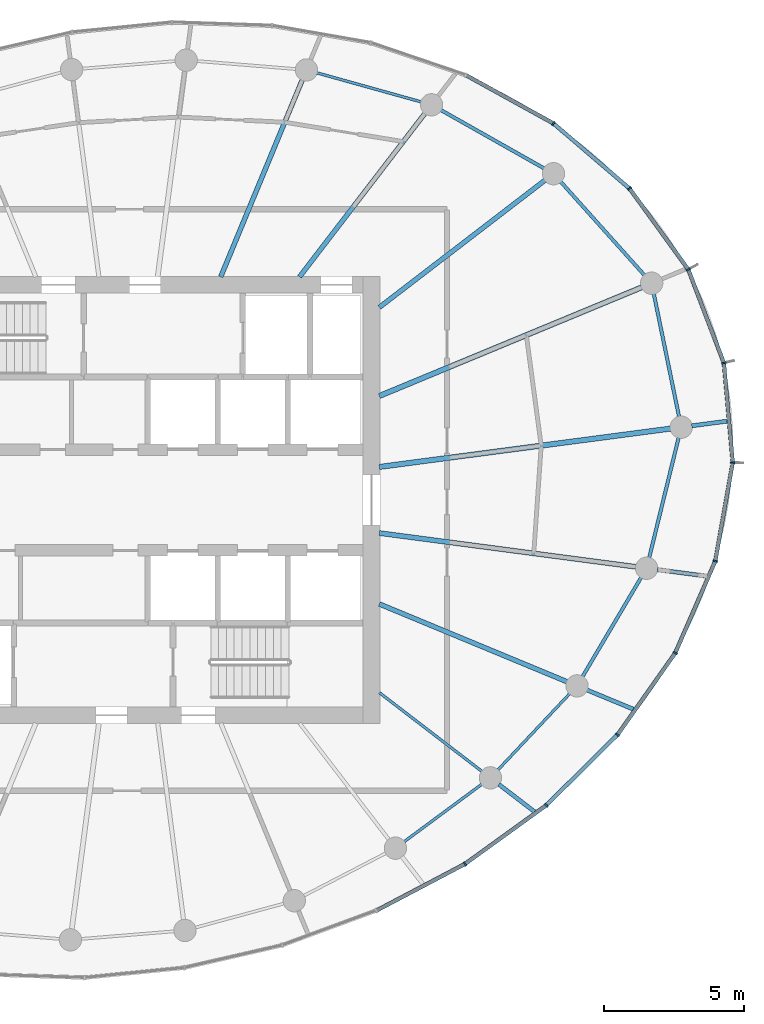
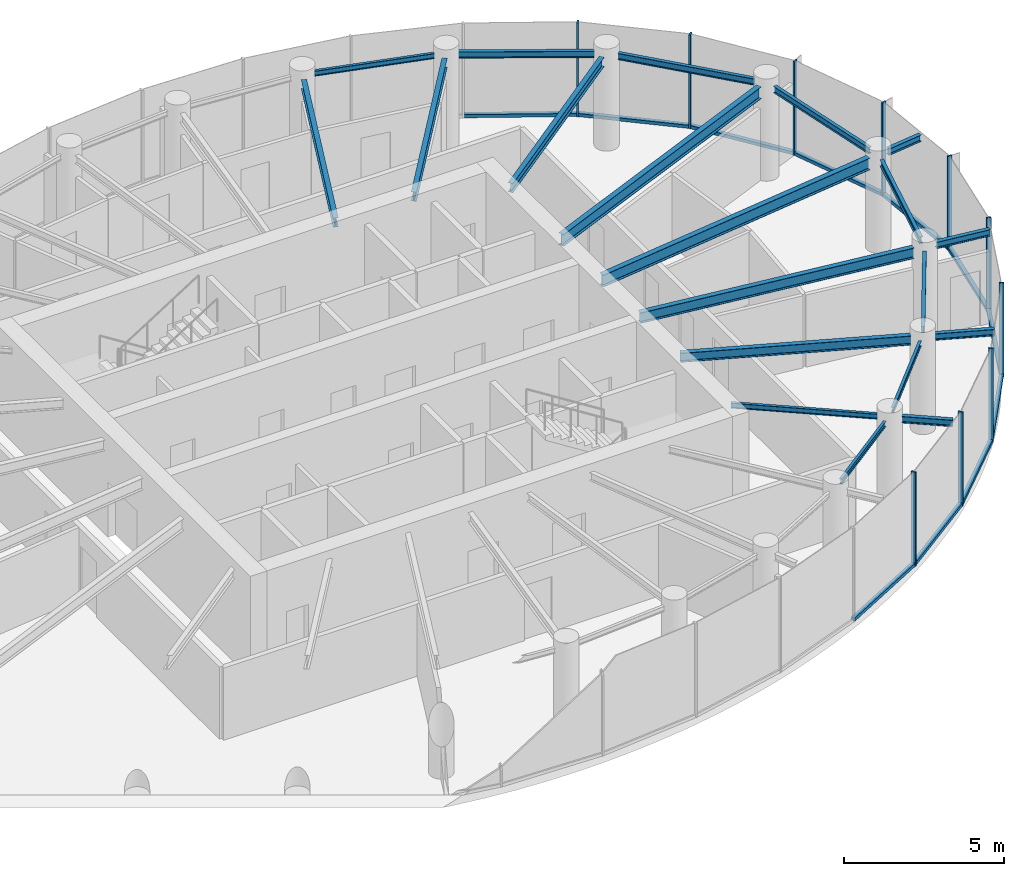
# One storey, part 5 of 13: 21 members, 20 beams, 3 elements without a shape of their own.
"""IFC4 building model written with IfcOpenShell, lengths in metres."""

from ifc_helpers import new_model, si_unit, direction, frame, origin, origin_2d, place, context, subcontext, project, spatial, rectangle, i_section, extrude, source, transform, mapped, material, layer, layer_set, material_profile, profile_set, type_object, element, aggregate, save


model = new_model("IFC4")

# Units and contexts
model_context = context("Model", 3, precision=1e-05, world=origin(), true_north=direction((0.0, 1.0)))
body_context = subcontext(model_context, "Body", "Model", "MODEL_VIEW")
ifc_project = project(units=[si_unit("LENGTHUNIT", "METRE"), si_unit("AREAUNIT", "SQUARE_METRE"), si_unit("VOLUMEUNIT", "CUBIC_METRE"), si_unit("PLANEANGLEUNIT", "RADIAN"), si_unit("MASSUNIT", "GRAM", prefix="KILO")], contexts=[model_context])

# Site, building, storey
site_placement = place(None, origin())
site = spatial("IfcSite", under=ifc_project, at=site_placement, CompositionType="ELEMENT")
building_placement = place(site_placement, origin())
building = spatial("IfcBuilding", under=site, at=building_placement, Name="Spindrift Exchange Tower", CompositionType="ELEMENT")
storey_placement = place(building_placement, frame((0.0, 0.0, 261.800048828125)))
storey = spatial("IfcBuildingStorey", under=building, at=storey_placement, Name="L64", CompositionType="ELEMENT", Elevation=261.800048828125)

# Beams
ifc_material_1 = material(Name="Steel Grade 300", Category="steel")
ifc_material_profile_1 = material_profile(ifc_material_1, i_section(OverallWidth=0.18994140625, OverallDepth=0.4541015625, WebThickness=0.008544921875, FlangeThickness=0.0126953125, FilletRadius=0.013916015625, at=origin_2d()), Name="460UB67.1")
ifc_profile_set_1 = profile_set([ifc_material_profile_1], Name="Steel Grade 300")
beam_type_1 = type_object("IfcBeamType", Name="Floor Beam 460UB67.1 Steel Grade 300", PredefinedType="BEAM", material=ifc_profile_set_1)
shared_shape_1 = source(origin(), body_context, "Body", "SweptSolid", [
    extrude(i_section(OverallWidth=0.18994140625, OverallDepth=0.4541015625, WebThickness=0.008544921875, FlangeThickness=0.0126953125, FilletRadius=0.013916015625, at=origin_2d()), origin(), (0.0, 0.0, 1.0), 10.510009765625),
])
beam_1_placement = place(storey_placement, frame((60.980224609375, 49.182373046875, 3.35302734375), z_axis=(0.991445042488, 0.130524816516, 0.0), x_axis=(-0.130524816516, 0.991445042488, 0.0)))
element("IfcBeam", 1, at=beam_1_placement, inside=storey, type_object=beam_type_1, Name="L64 radial beam R01A", PredefinedType="BEAM", context=body_context, shape_type="MappedRepresentation", body=[
    mapped(shared_shape_1, transform((0.0, 0.0, 0.0), scale=1.0)),
])
shared_shape_2 = source(origin(), body_context, "Body", "SweptSolid", [
    extrude(i_section(OverallWidth=0.18994140625, OverallDepth=0.4541015625, WebThickness=0.008544921875, FlangeThickness=0.0126953125, FilletRadius=0.013916015625, at=origin_2d()), origin(), (0.0, 0.0, 1.0), 10.160400390625),
])
beam_2_placement = place(storey_placement, frame((60.9814453125, 51.72021484375, 3.35302734375), z_axis=(0.923880358773, 0.382681437588, 0.0), x_axis=(-0.382681437588, 0.923880358773, 0.0)))
element("IfcBeam", 2, at=beam_2_placement, inside=storey, type_object=beam_type_1, Name="L64 radial beam R02A", PredefinedType="BEAM", context=body_context, shape_type="MappedRepresentation", body=[
    mapped(shared_shape_2, transform((0.0, 0.0, 0.0), scale=1.0)),
])
ifc_material_profile_2 = material_profile(ifc_material_1, i_section(OverallWidth=0.1708984375, OverallDepth=0.35205078125, WebThickness=0.0068359375, FlangeThickness=0.009765625, FilletRadius=0.013916015625, at=origin_2d()), Name="360UB44.7")
ifc_profile_set_2 = profile_set([ifc_material_profile_2], Name="Steel Grade 300")
beam_type_2 = type_object("IfcBeamType", Name="Floor Beam 360UB44.7 Steel Grade 300", PredefinedType="BEAM", material=ifc_profile_set_2)
shared_shape_3 = source(origin(), body_context, "Body", "SweptSolid", [
    extrude(i_section(OverallWidth=0.1708984375, OverallDepth=0.35205078125, WebThickness=0.0068359375, FlangeThickness=0.009765625, FilletRadius=0.013916015625, at=origin_2d()), origin(), (0.0, 0.0, 1.0), 7.466796875),
])
beam_3_placement = place(storey_placement, frame((60.984130859375, 54.893798828125, 3.404052734375), z_axis=(0.793360004804, 0.608752743548, 0.0), x_axis=(-0.608752743548, 0.793360004804, 0.0)))
element("IfcBeam", 3, at=beam_3_placement, inside=storey, type_object=beam_type_2, Name="L64 radial beam R03A", PredefinedType="BEAM", context=body_context, shape_type="MappedRepresentation", body=[
    mapped(shared_shape_3, transform((0.0, 0.0, 0.0), scale=1.0)),
])
shared_shape_4 = source(origin(), body_context, "Body", "SweptSolid", [
    extrude(i_section(OverallWidth=0.1708984375, OverallDepth=0.35205078125, WebThickness=0.0068359375, FlangeThickness=0.009765625, FilletRadius=0.013916015625, at=origin_2d()), origin(), (0.0, 0.0, 1.0), 7.3740234375),
])
beam_4_placement = place(storey_placement, frame((58.12646484375, 55.984130859375, 3.404052734375), z_axis=(0.608751913917, 0.793360641387, 0.0), x_axis=(-0.793360641387, 0.608751913917, 0.0)))
element("IfcBeam", 4, at=beam_4_placement, inside=storey, type_object=beam_type_2, Name="L64 radial beam R04A", PredefinedType="BEAM", context=body_context, shape_type="MappedRepresentation", body=[
    mapped(shared_shape_4, transform((0.0, 0.0, 0.0), scale=1.0)),
])
shared_shape_5 = source(origin(), body_context, "Body", "SweptSolid", [
    extrude(i_section(OverallWidth=0.1708984375, OverallDepth=0.35205078125, WebThickness=0.0068359375, FlangeThickness=0.009765625, FilletRadius=0.013916015625, at=origin_2d()), origin(), (0.0, 0.0, 1.0), 7.630859375),
])
beam_5_placement = place(storey_placement, frame((55.30615234375, 55.9814453125, 3.404052734375), z_axis=(0.382676740702, 0.92388230426, 0.0), x_axis=(-0.92388230426, 0.382676740702, 0.0)))
element("IfcBeam", 5, at=beam_5_placement, inside=storey, type_object=beam_type_2, Name="L64 radial beam R05A", PredefinedType="BEAM", context=body_context, shape_type="MappedRepresentation", body=[
    mapped(shared_shape_5, transform((0.0, 0.0, 0.0), scale=1.0)),
])
ifc_material_profile_3 = material_profile(ifc_material_1, i_section(OverallWidth=0.09912109375, OverallDepth=0.197998046875, WebThickness=0.00439453125, FlangeThickness=0.007080078125, FilletRadius=0.010986328125, at=origin_2d()), Name="200UB18.2")
ifc_profile_set_3 = profile_set([ifc_material_profile_3], Name="Steel Grade 300")
beam_type_3 = type_object("IfcBeamType", Name="Floor Beam 200UB18.2 Steel Grade 300", PredefinedType="BEAM", material=ifc_profile_set_3)
shared_shape_6 = source(origin(), body_context, "Body", "SweptSolid", [
    extrude(i_section(OverallWidth=0.09912109375, OverallDepth=0.197998046875, WebThickness=0.00439453125, FlangeThickness=0.007080078125, FilletRadius=0.010986328125, at=origin_2d()), origin(), (0.0, 0.0, 1.0), 4.622802734375),
])
beam_6_placement = place(storey_placement, frame((60.984130859375, 41.106201171875, 3.48095703125), z_axis=(0.793347882225, -0.608768542033, 0.0), x_axis=(0.608768542033, 0.793347882225, 0.0)))
element("IfcBeam", 6, at=beam_6_placement, inside=storey, type_object=beam_type_3, Name="L64 radial beam R22A", PredefinedType="BEAM", context=body_context, shape_type="MappedRepresentation", body=[
    mapped(shared_shape_6, transform((0.0, 0.0, 0.0), scale=1.0)),
])
shared_shape_7 = source(origin(), body_context, "Body", "SweptSolid", [
    extrude(i_section(OverallWidth=0.1708984375, OverallDepth=0.35205078125, WebThickness=0.0068359375, FlangeThickness=0.009765625, FilletRadius=0.013916015625, at=origin_2d()), origin(), (0.0, 0.0, 1.0), 7.272705078125),
])
beam_7_placement = place(storey_placement, frame((60.9814453125, 44.27978515625, 3.404052734375), z_axis=(0.923874446092, -0.382695711836, 0.0), x_axis=(0.382695711836, 0.923874446092, 0.0)))
element("IfcBeam", 7, at=beam_7_placement, inside=storey, type_object=beam_type_2, Name="L64 radial beam R23A", PredefinedType="BEAM", context=body_context, shape_type="MappedRepresentation", body=[
    mapped(shared_shape_7, transform((0.0, 0.0, 0.0), scale=1.0)),
])
ifc_material_profile_4 = material_profile(ifc_material_1, i_section(OverallWidth=0.177978515625, OverallDepth=0.403076171875, WebThickness=0.007568359375, FlangeThickness=0.010986328125, FilletRadius=0.013916015625, at=origin_2d()), Name="410UB53.7")
ifc_profile_set_4 = profile_set([ifc_material_profile_4], Name="Steel Grade 300")
beam_type_4 = type_object("IfcBeamType", Name="Floor Beam 410UB53.7 Steel Grade 300", PredefinedType="BEAM", material=ifc_profile_set_4)
shared_shape_8 = source(origin(), body_context, "Body", "SweptSolid", [
    extrude(i_section(OverallWidth=0.177978515625, OverallDepth=0.403076171875, WebThickness=0.007568359375, FlangeThickness=0.010986328125, FilletRadius=0.013916015625, at=origin_2d()), origin(), (0.0, 0.0, 1.0), 9.261962890625),
])
beam_8_placement = place(storey_placement, frame((60.980224609375, 46.817626953125, 3.37841796875), z_axis=(0.991447744872, -0.130504288008, 0.0), x_axis=(0.130504288008, 0.991447744872, 0.0)))
element("IfcBeam", 8, at=beam_8_placement, inside=storey, type_object=beam_type_4, Name="L64 radial beam R24A", PredefinedType="BEAM", context=body_context, shape_type="MappedRepresentation", body=[
    mapped(shared_shape_8, transform((0.0, 0.0, 0.0), scale=1.0)),
])
ifc_material_profile_5 = material_profile(ifc_material_1, i_section(OverallWidth=0.1240234375, OverallDepth=0.248046875, WebThickness=0.0048828125, FlangeThickness=0.008056640625, FilletRadius=0.011962890625, at=origin_2d()), Name="250UB25.7")
ifc_profile_set_5 = profile_set([ifc_material_profile_5], Name="Steel Grade 300")
beam_type_5 = type_object("IfcBeamType", Name="Edge Beam 250UB25.7 Steel Grade 300", PredefinedType="SPANDREL", material=ifc_profile_set_5)
shared_shape_9 = source(origin(), body_context, "Body", "SweptSolid", [
    extrude(i_section(OverallWidth=0.1240234375, OverallDepth=0.248046875, WebThickness=0.0048828125, FlangeThickness=0.008056640625, FilletRadius=0.011962890625, at=origin_2d()), origin(), (0.0, 0.0, 1.0), 4.497802734375),
])
beam_9_placement = place(storey_placement, frame((71.700927734375, 50.975830078125, 3.4560546875), z_axis=(-0.201217935785, 0.979546498293, 0.0), x_axis=(-0.979546498293, -0.201217935785, 0.0)))
element("IfcBeam", 9, at=beam_9_placement, inside=storey, type_object=beam_type_5, Name="L64 edge beam E01", PredefinedType="SPANDREL", context=body_context, shape_type="MappedRepresentation", body=[
    mapped(shared_shape_9, transform((0.0, 0.0, 0.0), scale=1.0)),
])
shared_shape_10 = source(origin(), body_context, "Body", "SweptSolid", [
    extrude(i_section(OverallWidth=0.1240234375, OverallDepth=0.248046875, WebThickness=0.0048828125, FlangeThickness=0.008056640625, FilletRadius=0.011962890625, at=origin_2d()), origin(), (0.0, 0.0, 1.0), 4.499755859375),
])
beam_10_placement = place(storey_placement, frame((70.466064453125, 56.036865234375, 3.4560546875), z_axis=(-0.667419502646, 0.744681950558, 0.0), x_axis=(-0.744681950558, -0.667419502646, 0.0)))
element("IfcBeam", 10, at=beam_10_placement, inside=storey, type_object=beam_type_5, Name="L64 edge beam E02", PredefinedType="SPANDREL", context=body_context, shape_type="MappedRepresentation", body=[
    mapped(shared_shape_10, transform((0.0, 0.0, 0.0), scale=1.0)),
])
shared_shape_11 = source(origin(), body_context, "Body", "SweptSolid", [
    extrude(i_section(OverallWidth=0.1240234375, OverallDepth=0.248046875, WebThickness=0.0048828125, FlangeThickness=0.008056640625, FilletRadius=0.011962890625, at=origin_2d()), origin(), (0.0, 0.0, 1.0), 4.2509765625),
])
beam_11_placement = place(storey_placement, frame((66.878662109375, 59.857666015625, 3.4560546875), z_axis=(-0.870615246867, 0.491964523033, 0.0), x_axis=(-0.491964523033, -0.870615246867, 0.0)))
element("IfcBeam", 11, at=beam_11_placement, inside=storey, type_object=beam_type_5, Name="L64 edge beam E03", PredefinedType="SPANDREL", context=body_context, shape_type="MappedRepresentation", body=[
    mapped(shared_shape_11, transform((0.0, 0.0, 0.0), scale=1.0)),
])
ifc_material_profile_6 = material_profile(ifc_material_1, i_section(OverallWidth=0.09912109375, OverallDepth=0.197998046875, WebThickness=0.00439453125, FlangeThickness=0.007080078125, FilletRadius=0.010986328125, at=origin_2d()), Name="200UB18.2")
ifc_profile_set_6 = profile_set([ifc_material_profile_6], Name="Steel Grade 300")
beam_type_6 = type_object("IfcBeamType", Name="Edge Beam 200UB18.2 Steel Grade 300", PredefinedType="SPANDREL", material=ifc_profile_set_6)
shared_shape_12 = source(origin(), body_context, "Body", "SweptSolid", [
    extrude(i_section(OverallWidth=0.09912109375, OverallDepth=0.197998046875, WebThickness=0.00439453125, FlangeThickness=0.007080078125, FilletRadius=0.010986328125, at=origin_2d()), origin(), (0.0, 0.0, 1.0), 3.885498046875),
])
beam_12_placement = place(storey_placement, frame((62.480712890625, 62.238037109375, 3.48095703125), z_axis=(-0.963333134661, 0.268308165482, 0.0), x_axis=(-0.268308165482, -0.963333134661, 0.0)))
element("IfcBeam", 12, at=beam_12_placement, inside=storey, type_object=beam_type_6, Name="L64 edge beam E04", PredefinedType="SPANDREL", context=body_context, shape_type="MappedRepresentation", body=[
    mapped(shared_shape_12, transform((0.0, 0.0, 0.0), scale=1.0)),
])
shared_shape_13 = source(origin(), body_context, "Body", "SweptSolid", [
    extrude(i_section(OverallWidth=0.09912109375, OverallDepth=0.197998046875, WebThickness=0.00439453125, FlangeThickness=0.007080078125, FilletRadius=0.010986328125, at=origin_2d()), origin(), (0.0, 0.0, 1.0), 3.466552734375),
])
beam_13_placement = place(storey_placement, frame((61.861083984375, 35.772705078125, 3.48095703125), z_axis=(0.803854022168, 0.594826622676, 0.0), x_axis=(-0.594826622676, 0.803854022168, 0.0)))
element("IfcBeam", 13, at=beam_13_placement, inside=storey, type_object=beam_type_6, Name="L64 edge beam E21", PredefinedType="SPANDREL", context=body_context, shape_type="MappedRepresentation", body=[
    mapped(shared_shape_13, transform((0.0, 0.0, 0.0), scale=1.0)),
])
shared_shape_14 = source(origin(), body_context, "Body", "SweptSolid", [
    extrude(i_section(OverallWidth=0.09912109375, OverallDepth=0.197998046875, WebThickness=0.00439453125, FlangeThickness=0.007080078125, FilletRadius=0.010986328125, at=origin_2d()), origin(), (0.0, 0.0, 1.0), 3.759765625),
])
beam_14_placement = place(storey_placement, frame((65.213623046875, 38.33740234375, 3.48095703125), z_axis=(0.685520646854, 0.72805318675, 0.0), x_axis=(-0.72805318675, 0.685520646854, 0.0)))
element("IfcBeam", 14, at=beam_14_placement, inside=storey, type_object=beam_type_6, Name="L64 edge beam E22", PredefinedType="SPANDREL", context=body_context, shape_type="MappedRepresentation", body=[
    mapped(shared_shape_14, transform((0.0, 0.0, 0.0), scale=1.0)),
])
shared_shape_15 = source(origin(), body_context, "Body", "SweptSolid", [
    extrude(i_section(OverallWidth=0.1240234375, OverallDepth=0.248046875, WebThickness=0.0048828125, FlangeThickness=0.008056640625, FilletRadius=0.011962890625, at=origin_2d()), origin(), (0.0, 0.0, 1.0), 4.128662109375),
])
beam_15_placement = place(storey_placement, frame((68.244873046875, 41.678466796875, 3.4560546875), z_axis=(0.509067946458, 0.860726336235, 0.0), x_axis=(-0.860726336235, 0.509067946458, 0.0)))
element("IfcBeam", 15, at=beam_15_placement, inside=storey, type_object=beam_type_5, Name="L64 edge beam E23", PredefinedType="SPANDREL", context=body_context, shape_type="MappedRepresentation", body=[
    mapped(shared_shape_15, transform((0.0, 0.0, 0.0), scale=1.0)),
])
shared_shape_16 = source(origin(), body_context, "Body", "SweptSolid", [
    extrude(i_section(OverallWidth=0.1240234375, OverallDepth=0.248046875, WebThickness=0.0048828125, FlangeThickness=0.008056640625, FilletRadius=0.011962890625, at=origin_2d()), origin(), (0.0, 0.0, 1.0), 4.43408203125),
])
beam_16_placement = place(storey_placement, frame((70.630615234375, 45.92822265625, 3.4560546875), z_axis=(0.238193109804, 0.971217814109, 0.0), x_axis=(-0.971217814109, 0.238193109804, 0.0)))
element("IfcBeam", 16, at=beam_16_placement, inside=storey, type_object=beam_type_5, Name="L64 edge beam E24", PredefinedType="SPANDREL", context=body_context, shape_type="MappedRepresentation", body=[
    mapped(shared_shape_16, transform((0.0, 0.0, 0.0), scale=1.0)),
])
ifc_material_profile_7 = material_profile(ifc_material_1, i_section(OverallWidth=0.14599609375, OverallDepth=0.251953125, WebThickness=0.006103515625, FlangeThickness=0.008544921875, FilletRadius=0.011962890625, at=origin_2d()), Name="250UB31.4")
ifc_profile_set_7 = profile_set([ifc_material_profile_7], Name="Steel Grade 300")
beam_type_7 = type_object("IfcBeamType", Name="Cantilever Beam 250UB31.4 Steel Grade 300", PredefinedType="BEAM", material=ifc_profile_set_7)
shared_shape_17 = source(origin(), body_context, "Body", "SweptSolid", [
    extrude(i_section(OverallWidth=0.14599609375, OverallDepth=0.251953125, WebThickness=0.006103515625, FlangeThickness=0.008544921875, FilletRadius=0.011962890625, at=origin_2d()), origin(), (0.0, 0.0, 1.0), 1.27001953125),
])
beam_17_placement = place(storey_placement, frame((72.154052734375, 50.6533203125, 3.453857421875), z_axis=(0.991446442885, 0.130514178891, 0.0), x_axis=(-0.130514178891, 0.991446442885, 0.0)))
element("IfcBeam", 17, at=beam_17_placement, inside=storey, type_object=beam_type_7, Name="L64 cantilever beam R01T", PredefinedType="BEAM", context=body_context, shape_type="MappedRepresentation", body=[
    mapped(shared_shape_17, transform((0.0, 0.0, 0.0), scale=1.0)),
])
shared_shape_18 = source(origin(), body_context, "Body", "SweptSolid", [
    extrude(i_section(OverallWidth=0.14599609375, OverallDepth=0.251953125, WebThickness=0.006103515625, FlangeThickness=0.008544921875, FilletRadius=0.011962890625, at=origin_2d()), origin(), (0.0, 0.0, 1.0), 1.609619140625),
])
beam_18_placement = place(storey_placement, frame((65.25439453125, 37.829345703125, 3.453857421875), z_axis=(0.79341834679, -0.608676701523, 0.0), x_axis=(0.608676701523, 0.79341834679, 0.0)))
element("IfcBeam", 18, at=beam_18_placement, inside=storey, type_object=beam_type_7, Name="L64 cantilever beam R22T", PredefinedType="BEAM", context=body_context, shape_type="MappedRepresentation", body=[
    mapped(shared_shape_18, transform((0.0, 0.0, 0.0), scale=1.0)),
])
shared_shape_19 = source(origin(), body_context, "Body", "SweptSolid", [
    extrude(i_section(OverallWidth=0.14599609375, OverallDepth=0.251953125, WebThickness=0.006103515625, FlangeThickness=0.008544921875, FilletRadius=0.011962890625, at=origin_2d()), origin(), (0.0, 0.0, 1.0), 1.870849609375),
])
beam_19_placement = place(storey_placement, frame((68.402587890625, 41.205810546875, 3.453857421875), z_axis=(0.923908689507, -0.382613033564, 0.0), x_axis=(0.382613033564, 0.923908689507, 0.0)))
element("IfcBeam", 19, at=beam_19_placement, inside=storey, type_object=beam_type_7, Name="L64 cantilever beam R23T", PredefinedType="BEAM", context=body_context, shape_type="MappedRepresentation", body=[
    mapped(shared_shape_19, transform((0.0, 0.0, 0.0), scale=1.0)),
])
shared_shape_20 = source(origin(), body_context, "Body", "SweptSolid", [
    extrude(i_section(OverallWidth=0.14599609375, OverallDepth=0.251953125, WebThickness=0.006103515625, FlangeThickness=0.008544921875, FilletRadius=0.011962890625, at=origin_2d()), origin(), (0.0, 0.0, 1.0), 1.815185546875),
])
beam_20_placement = place(storey_placement, frame((70.916748046875, 45.509521484375, 3.453857421875), z_axis=(0.991452006297, -0.130471909661, 0.0), x_axis=(0.130471909661, 0.991452006297, 0.0)))
element("IfcBeam", 20, at=beam_20_placement, inside=storey, type_object=beam_type_7, Name="L64 cantilever beam R24T", PredefinedType="BEAM", context=body_context, shape_type="MappedRepresentation", body=[
    mapped(shared_shape_20, transform((0.0, 0.0, 0.0), scale=1.0)),
])

# Curtain wall, member
ifc_material_2 = material(Name="Fritted laminated glass with bronze frame", Category="glass")
ifc_layer = layer(ifc_material_2, 0.159912109375)
ifc_layer_set = layer_set([ifc_layer], Name="ZONE 5 BRONZE FRITTED WALL")
curtain_wall_type = type_object("IfcCurtainWallType", Name="ZONE 5 BRONZE FRITTED WALL", PredefinedType="NOTDEFINED", material=ifc_layer_set)
curtain_wall_1_placement = place(storey_placement, origin())
curtain_wall_1 = element("IfcCurtainWall", 21, at=curtain_wall_1_placement, inside=storey, type_object=curtain_wall_type, Name="L64 Zone 5 Bronze Fritted Wall run 5", PredefinedType="NOTDEFINED")
ifc_material_3 = material(Name="Bronze anodised aluminium", Category="aluminium")
ifc_material_profile_8 = material_profile(ifc_material_3, rectangle(XDim=0.139892578125, YDim=0.1201171875, at=origin_2d()), Name="ZONE 5 BRONZE FRITTED WALL TRANSOM 140X120")
ifc_profile_set_8 = profile_set([ifc_material_profile_8], Name="Bronze anodised aluminium")
member_type_1 = type_object("IfcMemberType", Name="ZONE 5 BRONZE FRITTED WALL TRANSOM 140X120", PredefinedType="USERDEFINED", material=ifc_profile_set_8)
shared_shape_21 = source(origin(), body_context, "Body", "SweptSolid", [
    extrude(rectangle(XDim=0.139892578125, YDim=0.1201171875, at=origin_2d()), origin(), (0.0, 0.0, 1.0), 3.524658203125),
])
member_1_placement = place(storey_placement, frame((66.970703125, 37.101318359375, 0.06005859375), z_axis=(0.710802776324, 0.703391365579, 0.0), x_axis=(-0.703391365579, 0.710802776324, 0.0)))
member_1 = element("IfcMember", 22, at=member_1_placement, type_object=member_type_1, Name="L64 transom CW-5.30", ObjectType="TRANSOM", PredefinedType="USERDEFINED", context=body_context, shape_type="MappedRepresentation", body=[
    mapped(shared_shape_21, transform((0.0, 0.0, 0.0), scale=1.0)),
])

curtain_wall_2_placement = place(storey_placement, origin())
curtain_wall_2 = element("IfcCurtainWall", 23, at=curtain_wall_2_placement, inside=storey, type_object=curtain_wall_type, Name="L64 Zone 5 Bronze Fritted Wall run 1", PredefinedType="NOTDEFINED")
shared_shape_22 = source(origin(), body_context, "Body", "SweptSolid", [
    extrude(rectangle(XDim=0.139892578125, YDim=0.1201171875, at=origin_2d()), origin(), (0.0, 0.0, 1.0), 3.521484375),
])
member_2_placement = place(storey_placement, frame((69.906005859375, 59.160888671875, 0.06005859375), z_axis=(-0.759911984937, 0.650025980364, 0.0), x_axis=(-0.650025980364, -0.759911984937, 0.0)))
member_2 = element("IfcMember", 24, at=member_2_placement, type_object=member_type_1, Name="L64 transom CW-5.3", ObjectType="TRANSOM", PredefinedType="USERDEFINED", context=body_context, shape_type="MappedRepresentation", body=[
    mapped(shared_shape_22, transform((0.0, 0.0, 0.0), scale=1.0)),
])

curtain_wall_3_placement = place(storey_placement, origin())
curtain_wall_3 = element("IfcCurtainWall", 25, at=curtain_wall_3_placement, inside=storey, type_object=curtain_wall_type, Name="L64 Zone 5 Bronze Fritted Wall run 6", PredefinedType="NOTDEFINED")
member_3_placement = place(storey_placement, frame((71.576171875, 42.556640625, 0.06005859375), z_axis=(0.39947636742, 0.916743492954, 0.0), x_axis=(-0.916743492954, 0.39947636742, 0.0)))
member_3 = element("IfcMember", 26, at=member_3_placement, type_object=member_type_1, Name="L64 transom CW-5.32", ObjectType="TRANSOM", PredefinedType="USERDEFINED", context=body_context, shape_type="MappedRepresentation", body=[
    mapped(shared_shape_22, transform((0.0, 0.0, 0.0), scale=1.0)),
])

# Member
shared_shape_23 = source(origin(), body_context, "Body", "SweptSolid", [
    extrude(rectangle(XDim=0.139892578125, YDim=0.1201171875, at=origin_2d()), origin(), (0.0, 0.0, 1.0), 3.519287109375),
])
member_4_placement = place(storey_placement, frame((72.0126953125, 56.268310546875, 0.06005859375), z_axis=(-0.587148299835, 0.809479384543, 0.0), x_axis=(-0.809479384543, -0.587148299835, 0.0)))
member_4 = element("IfcMember", 27, at=member_4_placement, type_object=member_type_1, Name="L64 transom CW-5.2", ObjectType="TRANSOM", PredefinedType="USERDEFINED", context=body_context, shape_type="MappedRepresentation", body=[
    mapped(shared_shape_23, transform((0.0, 0.0, 0.0), scale=1.0)),
])

member_5_placement = place(storey_placement, frame((73.000244140625, 45.842041015625, 0.06005859375), z_axis=(0.174335405428, 0.984686328947, 0.0), x_axis=(-0.984686328947, 0.174335405428, 0.0)))
member_5 = element("IfcMember", 28, at=member_5_placement, type_object=member_type_1, Name="L64 transom CW-5.33", ObjectType="TRANSOM", PredefinedType="USERDEFINED", context=body_context, shape_type="MappedRepresentation", body=[
    mapped(shared_shape_23, transform((0.0, 0.0, 0.0), scale=1.0)),
])

shared_shape_24 = source(origin(), body_context, "Body", "SweptSolid", [
    extrude(rectangle(XDim=0.139892578125, YDim=0.1201171875, at=origin_2d()), origin(), (0.0, 0.0, 1.0), 3.517333984375),
])
member_6_placement = place(storey_placement, frame((73.616455078125, 49.366943359375, 0.06005859375), z_axis=(-0.088357679402, 0.996088811548, 0.0), x_axis=(-0.996088811548, -0.088357679402, 0.0)))
member_6 = element("IfcMember", 29, at=member_6_placement, type_object=member_type_1, Name="L64 transom CW-5.34", ObjectType="TRANSOM", PredefinedType="USERDEFINED", context=body_context, shape_type="MappedRepresentation", body=[
    mapped(shared_shape_24, transform((0.0, 0.0, 0.0), scale=1.0)),
])

shared_shape_25 = source(origin(), body_context, "Body", "SweptSolid", [
    extrude(rectangle(XDim=0.139892578125, YDim=0.1201171875, at=origin_2d()), origin(), (0.0, 0.0, 1.0), 3.526123046875),
])
member_7_placement = place(storey_placement, frame((60.895751953125, 33.324951171875, 0.06005859375), z_axis=(0.884798039458, 0.46597470894, 0.0), x_axis=(-0.46597470894, 0.884798039458, 0.0)))
member_7 = element("IfcMember", 30, at=member_7_placement, type_object=member_type_1, Name="L64 transom CW-5.28", ObjectType="TRANSOM", PredefinedType="USERDEFINED", context=body_context, shape_type="MappedRepresentation", body=[
    mapped(shared_shape_25, transform((0.0, 0.0, 0.0), scale=1.0)),
])

shared_shape_26 = source(origin(), body_context, "Body", "SweptSolid", [
    extrude(rectangle(XDim=0.139892578125, YDim=0.1201171875, at=origin_2d()), origin(), (0.0, 0.0, 1.0), 3.5234375),
])
member_8_placement = place(storey_placement, frame((67.180908203125, 61.48388671875, 0.06005859375), z_axis=(-0.87568579729, 0.482881335759, 0.0), x_axis=(-0.482881335759, -0.87568579729, 0.0)))
member_8 = element("IfcMember", 31, at=member_8_placement, type_object=member_type_1, Name="L64 transom CW-5.4", ObjectType="TRANSOM", PredefinedType="USERDEFINED", context=body_context, shape_type="MappedRepresentation", body=[
    mapped(shared_shape_26, transform((0.0, 0.0, 0.0), scale=1.0)),
])

member_9_placement = place(storey_placement, frame((69.514892578125, 39.626220703125, 0.06005859375), z_axis=(0.576713122177, 0.816946739212, 0.0), x_axis=(-0.816946739212, 0.576713122177, 0.0)))
member_9 = element("IfcMember", 32, at=member_9_placement, type_object=member_type_1, Name="L64 transom CW-5.31", ObjectType="TRANSOM", PredefinedType="USERDEFINED", context=body_context, shape_type="MappedRepresentation", body=[
    mapped(shared_shape_26, transform((0.0, 0.0, 0.0), scale=1.0)),
])

shared_shape_27 = source(origin(), body_context, "Body", "SweptSolid", [
    extrude(rectangle(XDim=0.139892578125, YDim=0.1201171875, at=origin_2d()), origin(), (0.0, 0.0, 1.0), 3.525634765625),
])
member_10_placement = place(storey_placement, frame((64.06640625, 34.99951171875, 0.06005859375), z_axis=(0.810883689687, 0.585207349406, 0.0), x_axis=(-0.585207349406, 0.810883689687, 0.0)))
member_10 = element("IfcMember", 33, at=member_10_placement, type_object=member_type_1, Name="L64 transom CW-5.29", ObjectType="TRANSOM", PredefinedType="USERDEFINED", context=body_context, shape_type="MappedRepresentation", body=[
    mapped(shared_shape_27, transform((0.0, 0.0, 0.0), scale=1.0)),
])

ifc_material_profile_9 = material_profile(ifc_material_3, rectangle(XDim=0.06005859375, YDim=0.159912109375, at=origin_2d()), Name="ZONE 5 BRONZE FRITTED WALL MULLION 60X160")
ifc_profile_set_9 = profile_set([ifc_material_profile_9], Name="Bronze anodised aluminium")
member_type_2 = type_object("IfcMemberType", Name="ZONE 5 BRONZE FRITTED WALL MULLION 60X160", PredefinedType="MULLION", material=ifc_profile_set_9)
shared_shape_28 = source(origin(), body_context, "Body", "SweptSolid", [
    extrude(rectangle(XDim=0.06005859375, YDim=0.159912109375, at=origin_2d()), origin(), (0.0, 0.0, 1.0), 3.579833984375),
])
member_11_placement = place(storey_placement, frame((73.302978515625, 52.900390625, 0.0), z_axis=(0.0, 0.0, 1.0), x_axis=(-0.224184238122, 0.974546780497, 0.0)))
member_11 = element("IfcMember", 34, at=member_11_placement, type_object=member_type_2, Name="L64 mullion CW-5.1", PredefinedType="MULLION", context=body_context, shape_type="MappedRepresentation", body=[
    mapped(shared_shape_28, transform((0.0, 0.0, 0.0), scale=1.0)),
])

member_12_placement = place(storey_placement, frame((72.0302734375, 56.243896484375, 0.0), z_axis=(0.0, 0.0, 1.0), x_axis=(-0.47559237422, 0.879665785162, 0.0)))
member_12 = element("IfcMember", 35, at=member_12_placement, type_object=member_type_2, Name="L64 mullion CW-5.2", PredefinedType="MULLION", context=body_context, shape_type="MappedRepresentation", body=[
    mapped(shared_shape_28, transform((0.0, 0.0, 0.0), scale=1.0)),
])

member_13_placement = place(storey_placement, frame((69.9287109375, 59.141357421875, 0.0), z_axis=(0.0, 0.0, 1.0), x_axis=(-0.678227586561, 0.734851917619, 0.0)))
member_13 = element("IfcMember", 36, at=member_13_placement, type_object=member_type_2, Name="L64 mullion CW-5.3", PredefinedType="MULLION", context=body_context, shape_type="MappedRepresentation", body=[
    mapped(shared_shape_28, transform((0.0, 0.0, 0.0), scale=1.0)),
])

member_14_placement = place(storey_placement, frame((67.20703125, 61.469482421875, 0.0), z_axis=(0.0, 0.0, 1.0), x_axis=(-0.822067387183, 0.569390209725, 0.0)))
member_14 = element("IfcMember", 37, at=member_14_placement, type_object=member_type_2, Name="L64 mullion CW-5.4", PredefinedType="MULLION", context=body_context, shape_type="MappedRepresentation", body=[
    mapped(shared_shape_28, transform((0.0, 0.0, 0.0), scale=1.0)),
])

member_15_placement = place(storey_placement, frame((64.042236328125, 34.98193359375, 0.0), z_axis=(0.0, 0.0, 1.0), x_axis=(0.849920192928, 0.526911440047, 0.0)))
member_15 = element("IfcMember", 38, at=member_15_placement, type_object=member_type_2, Name="L64 mullion CW-5.29", PredefinedType="MULLION", context=body_context, shape_type="MappedRepresentation", body=[
    mapped(shared_shape_28, transform((0.0, 0.0, 0.0), scale=1.0)),
])

member_16_placement = place(storey_placement, frame((66.949462890625, 37.080322265625, 0.0), z_axis=(0.0, 0.0, 1.0), x_axis=(0.763119924213, 0.646256900364, 0.0)))
member_16 = element("IfcMember", 39, at=member_16_placement, type_object=member_type_2, Name="L64 mullion CW-5.30", PredefinedType="MULLION", context=body_context, shape_type="MappedRepresentation", body=[
    mapped(shared_shape_28, transform((0.0, 0.0, 0.0), scale=1.0)),
])

aggregate(curtain_wall_1, [member_7, member_15, member_10, member_16, member_1])

member_17_placement = place(storey_placement, frame((69.49755859375, 39.601806640625, 0.0), z_axis=(0.0, 0.0, 1.0), x_axis=(0.646256654936, 0.763120132057, 0.0)))
member_17 = element("IfcMember", 40, at=member_17_placement, type_object=member_type_2, Name="L64 mullion CW-5.31", PredefinedType="MULLION", context=body_context, shape_type="MappedRepresentation", body=[
    mapped(shared_shape_28, transform((0.0, 0.0, 0.0), scale=1.0)),
])

member_18_placement = place(storey_placement, frame((71.564208984375, 42.529296875, 0.0), z_axis=(0.0, 0.0, 1.0), x_axis=(0.490644814215, 0.871359665284, 0.0)))
member_18 = element("IfcMember", 41, at=member_18_placement, type_object=member_type_2, Name="L64 mullion CW-5.32", PredefinedType="MULLION", context=body_context, shape_type="MappedRepresentation", body=[
    mapped(shared_shape_28, transform((0.0, 0.0, 0.0), scale=1.0)),
])

member_19_placement = place(storey_placement, frame((72.994873046875, 45.8125, 0.0), z_axis=(0.0, 0.0, 1.0), x_axis=(0.288946454418, 0.957345259809, 0.0)))
member_19 = element("IfcMember", 42, at=member_19_placement, type_object=member_type_2, Name="L64 mullion CW-5.33", PredefinedType="MULLION", context=body_context, shape_type="MappedRepresentation", body=[
    mapped(shared_shape_28, transform((0.0, 0.0, 0.0), scale=1.0)),
])

member_20_placement = place(storey_placement, frame((73.619140625, 49.3369140625, 0.0), z_axis=(0.0, 0.0, 1.0), x_axis=(0.043406388949, 0.999057498545, 0.0)))
member_20 = element("IfcMember", 43, at=member_20_placement, type_object=member_type_2, Name="L64 mullion CW-5.34", PredefinedType="MULLION", context=body_context, shape_type="MappedRepresentation", body=[
    mapped(shared_shape_28, transform((0.0, 0.0, 0.0), scale=1.0)),
])

aggregate(curtain_wall_3, [member_17, member_9, member_18, member_3, member_19, member_5, member_20, member_6])

shared_shape_29 = source(origin(), body_context, "Body", "SweptSolid", [
    extrude(rectangle(XDim=0.139892578125, YDim=0.1201171875, at=origin_2d()), origin(), (0.0, 0.0, 1.0), 3.517822265625),
])
member_21_placement = place(storey_placement, frame((73.29248046875, 52.928466796875, 0.06005859375), z_axis=(-0.355819276189, 0.934554783141, 0.0), x_axis=(-0.934554783141, -0.355819276189, 0.0)))
member_21 = element("IfcMember", 44, at=member_21_placement, type_object=member_type_1, Name="L64 transom CW-5.1", ObjectType="TRANSOM", PredefinedType="USERDEFINED", context=body_context, shape_type="MappedRepresentation", body=[
    mapped(shared_shape_29, transform((0.0, 0.0, 0.0), scale=1.0)),
])

aggregate(curtain_wall_2, [member_11, member_21, member_12, member_4, member_13, member_2, member_14, member_8])

save(model, "model.ifc")
